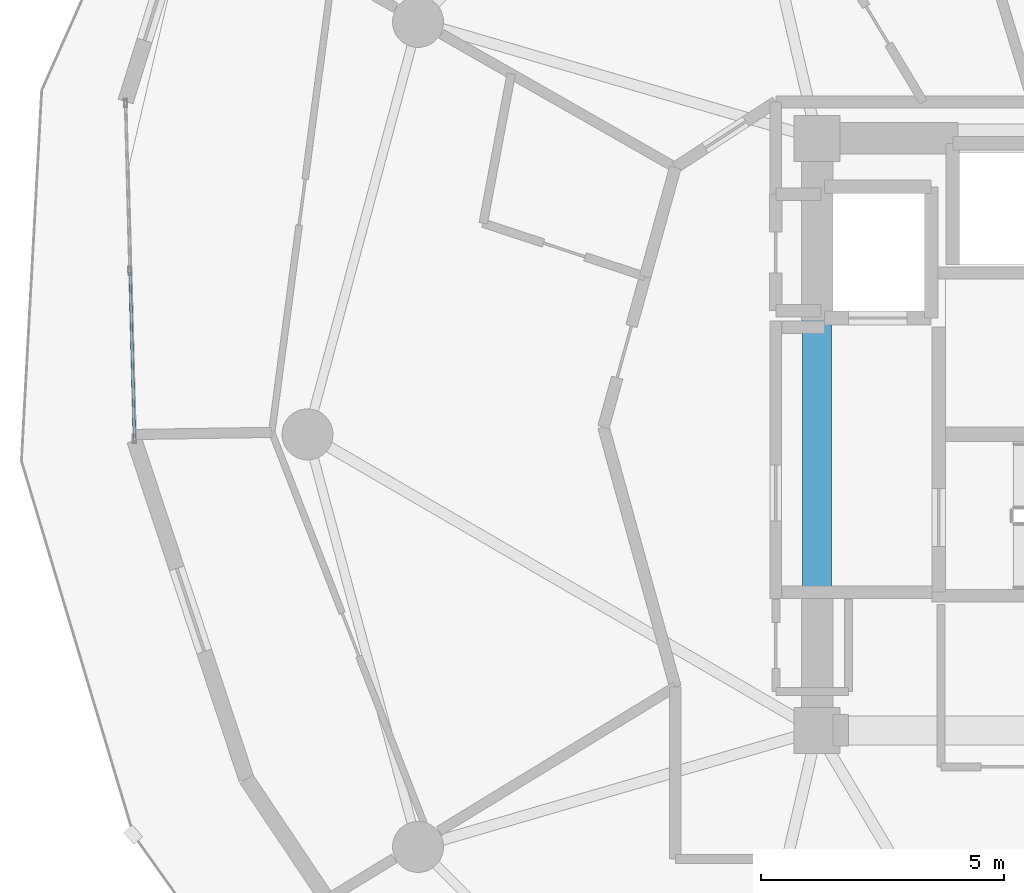
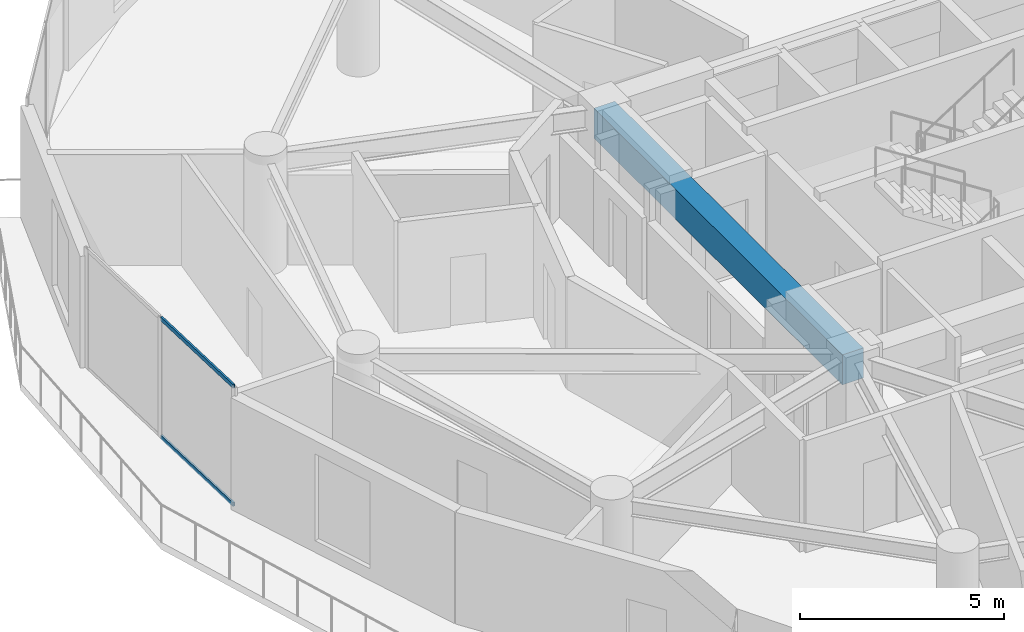
# One storey, part 5 of 20: 2 members, 1 beam, 1 element without a shape of its own.
"""IFC4 building model written with IfcOpenShell, lengths in metres."""

from ifc_helpers import new_model, si_unit, direction, frame, origin, origin_2d, place, context, subcontext, project, spatial, rectangle, hollow_rectangle, extrude, source, transform, mapped, material, layer, layer_set, material_profile, profile_set, type_object, element, aggregate, save


model = new_model("IFC4")

# Units and contexts
model_context = context("Model", 3, precision=1e-05, world=origin(), true_north=direction((0.0, 1.0)))
body_context = subcontext(model_context, "Body", "Model", "MODEL_VIEW")
ifc_project = project(units=[si_unit("LENGTHUNIT", "METRE"), si_unit("AREAUNIT", "SQUARE_METRE"), si_unit("VOLUMEUNIT", "CUBIC_METRE"), si_unit("PLANEANGLEUNIT", "RADIAN"), si_unit("MASSUNIT", "GRAM", prefix="KILO")], contexts=[model_context])

# Site, building, storey
site_placement = place(None, origin())
site = spatial("IfcSite", under=ifc_project, at=site_placement, CompositionType="ELEMENT")
building_placement = place(site_placement, origin())
building = spatial("IfcBuilding", under=site, at=building_placement, Name="Solvirekh Grand Hotel", CompositionType="ELEMENT")
storey_placement = place(building_placement, frame((0.0, 0.0, 156.60009765625)))
storey = spatial("IfcBuildingStorey", under=building, at=storey_placement, Name="L40", CompositionType="ELEMENT", Elevation=156.60009765625)

# Beam
ifc_material_1 = material(Name="Concrete C50/60", Category="concrete")
ifc_material_profile_1 = material_profile(ifc_material_1, rectangle(XDim=0.60009765625, YDim=0.89990234375, at=origin_2d()), Name="RC BEAM 600X900")
ifc_profile_set_1 = profile_set([ifc_material_profile_1], Name="Concrete C50/60")
beam_type = type_object("IfcBeamType", Name="Beam_Core_RC900", PredefinedType="BEAM", material=ifc_profile_set_1)
beam_placement = place(storey_placement, frame((-6.5, 6.10009765625, 2.89990234375), z_axis=(0.0, -1.0, 0.0), x_axis=(1.0, 0.0, 0.0)))
element("IfcBeam", 1, at=beam_placement, inside=storey, type_object=beam_type, Name="L40 core coupling ring beam 4", PredefinedType="BEAM", context=body_context, shape_type="SweptSolid", body=[
    extrude(rectangle(XDim=0.60009765625, YDim=0.89990234375, at=origin_2d()), origin(), (0.0, 0.0, 1.0), 12.2001953125),
])

# Curtain wall, members
ifc_material_2 = material(Name="Anodized Bronze Aluminium 6063-T6", Category="aluminium")
ifc_layer = layer(ifc_material_2, 0.175048828125)
ifc_layer_set = layer_set([ifc_layer], Name="Anodized Bronze Aluminium 6063-T6")
curtain_wall_type = type_object("IfcCurtainWallType", Name="CW_Sys3_MidZoneFlushBronzeCW", PredefinedType="NOTDEFINED", material=ifc_layer_set)
curtain_wall_placement = place(storey_placement, origin())
curtain_wall = element("IfcCurtainWall", 2, at=curtain_wall_placement, inside=storey, type_object=curtain_wall_type, Name="L40 unitised bronze-glass curtain wall CW-L40-C13", PredefinedType="NOTDEFINED")
ifc_material_profile_2 = material_profile(ifc_material_2, hollow_rectangle(XDim=0.054931640625, YDim=0.1201171875, WallThickness=0.00390625, at=origin_2d()), Name="ALU RHS 120X55X4")
ifc_profile_set_2 = profile_set([ifc_material_profile_2], Name="Anodized Bronze Aluminium 6063-T6")
member_type = type_object("IfcMemberType", Name="CWTransom_Sys3", PredefinedType="USERDEFINED", material=ifc_profile_set_2)
shared_shape = source(origin(), body_context, "Body", "SweptSolid", [
    extrude(hollow_rectangle(XDim=0.054931640625, YDim=0.1201171875, WallThickness=0.00390625, at=origin_2d()), origin(), (0.0, 0.0, 1.0), 3.397216796875),
])
member_1_placement = place(storey_placement, frame((-20.65576171875, 3.333984375, 0.02734375), z_axis=(0.026231085955, -0.999655905864, 0.0), x_axis=(0.999655905864, 0.026231085955, 0.0)))
member_1 = element("IfcMember", 3, at=member_1_placement, type_object=member_type, Name="U03 transom 2.1", ObjectType="TRANSOM", PredefinedType="USERDEFINED", context=body_context, shape_type="MappedRepresentation", body=[
    mapped(shared_shape, transform((0.0, 0.0, 0.0), x_axis=(1.0, 0.0, 0.0), y_axis=(0.0, 1.0, 0.0), z_axis=(0.0, 0.0, 1.0), scale=1.0)),
])
member_2_placement = place(storey_placement, frame((-20.65576171875, 3.333984375, 3.572509765625), z_axis=(0.026231085955, -0.999655905864, 0.0), x_axis=(0.999655905864, 0.026231085955, 0.0)))
member_2 = element("IfcMember", 4, at=member_2_placement, type_object=member_type, Name="U03 transom 2.2", ObjectType="TRANSOM", PredefinedType="USERDEFINED", context=body_context, shape_type="MappedRepresentation", body=[
    mapped(shared_shape, transform((0.0, 0.0, 0.0), x_axis=(1.0, 0.0, 0.0), y_axis=(0.0, 1.0, 0.0), z_axis=(0.0, 0.0, 1.0), scale=1.0)),
])
aggregate(curtain_wall, [member_1, member_2])

save(model, "model.ifc")
